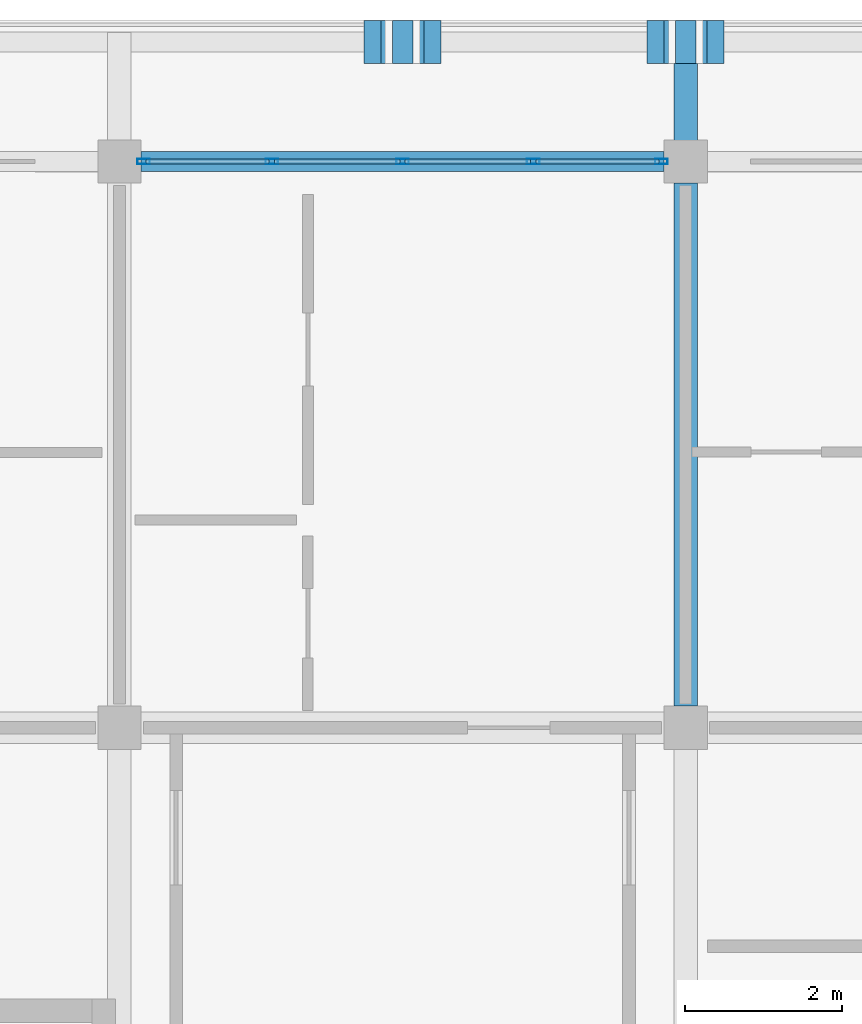
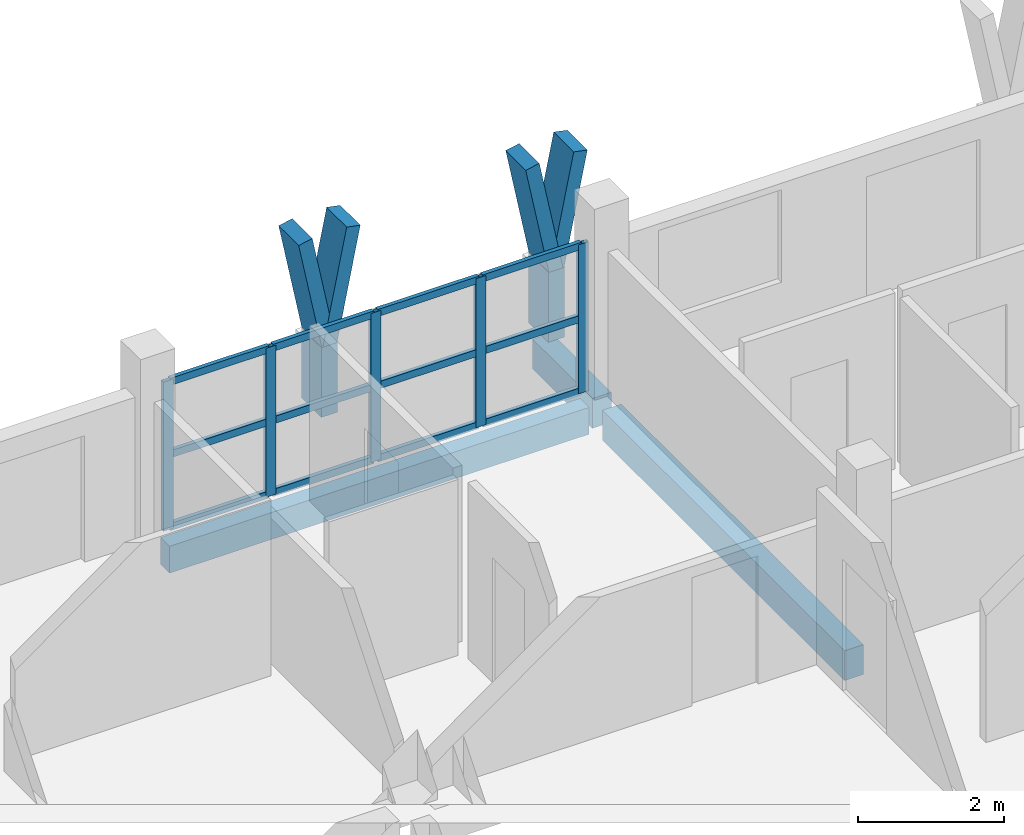
# One storey, part 25 of 65: 23 members, 3 beams, 1 element without a shape of its own.
"""IFC4 building model written with IfcOpenShell, lengths in metres."""

from ifc_helpers import new_model, si_unit, direction, frame, origin, origin_2d, place, context, subcontext, project, spatial, rectangle, hollow_rectangle, extrude, material, material_profile, profile_set, type_object, element, aggregate, save


model = new_model("IFC4")

# Units and contexts
model_context = context("Model", 3, precision=1e-05, world=origin(), true_north=direction((0.0, 1.0)))
body_context = subcontext(model_context, "Body", "Model", "MODEL_VIEW")
ifc_project = project(units=[si_unit("LENGTHUNIT", "METRE"), si_unit("AREAUNIT", "SQUARE_METRE"), si_unit("VOLUMEUNIT", "CUBIC_METRE"), si_unit("PLANEANGLEUNIT", "RADIAN"), si_unit("MASSUNIT", "GRAM", prefix="KILO")], contexts=[model_context])

# Site, building, storey
site_placement = place(None, origin())
site = spatial("IfcSite", under=ifc_project, at=site_placement, CompositionType="ELEMENT")
building_placement = place(site_placement, origin())
building = spatial("IfcBuilding", under=site, at=building_placement, Name="Suanplinth Sawtooth Commons", CompositionType="ELEMENT")
storey_placement = place(building_placement, frame((0.0, 0.0, 28.300048828125)))
storey = spatial("IfcBuildingStorey", under=building, at=storey_placement, Name="L08", CompositionType="ELEMENT", Elevation=28.300048828125)

# Beams
ifc_material_1 = material(Name="Precast concrete C40/50", Category="concrete")
ifc_material_profile_1 = material_profile(ifc_material_1, rectangle(XDim=0.300048828125, YDim=0.5, at=origin_2d()), Name="PC-BM 300x500")
ifc_profile_set_1 = profile_set([ifc_material_profile_1], Name="Precast concrete C40/50")
beam_type_1 = type_object("IfcBeamType", Name="B-07", PredefinedType="BEAM", material=ifc_profile_set_1)
beam_1_placement = place(storey_placement, frame((151.199951171875, 115.47509765625, -0.4599609375), z_axis=(0.0, 1.0, 0.0), x_axis=(-1.0, 0.0, 0.0)))
element("IfcBeam", 1, at=beam_1_placement, inside=storey, type_object=beam_type_1, Name="BMY-L08-B-21-16", PredefinedType="BEAM", context=body_context, shape_type="SweptSolid", body=[
    extrude(rectangle(XDim=0.300048828125, YDim=0.5, at=origin_2d()), origin(), (0.0, 0.0, 1.0), 6.64990234375),
])
beam_2_placement = place(storey_placement, frame((151.199951171875, 122.39990234375, -0.429931640625), z_axis=(0.0, 1.0, 0.0), x_axis=(-1.0, 0.0, 0.0)))
element("IfcBeam", 2, at=beam_2_placement, inside=storey, type_object=beam_type_1, Name="Balcony Outrigger L08-B-N-21", PredefinedType="BEAM", context=body_context, shape_type="SweptSolid", body=[
    extrude(rectangle(XDim=0.300048828125, YDim=0.5, at=origin_2d()), origin(), (0.0, 0.0, 1.0), 1.64013671875),
])
ifc_material_profile_2 = material_profile(ifc_material_1, rectangle(XDim=0.25, YDim=0.449951171875, at=origin_2d()), Name="PC-SP 250x450")
ifc_profile_set_2 = profile_set([ifc_material_profile_2], Name="Precast concrete C40/50")
beam_type_2 = type_object("IfcBeamType", Name="B-09", PredefinedType="SPANDREL", material=ifc_profile_set_2)
beam_3_placement = place(storey_placement, frame((144.27490234375, 122.39990234375, -0.43505859375), z_axis=(1.0, 0.0, 0.0), x_axis=(0.0, 1.0, 0.0)))
element("IfcBeam", 3, at=beam_3_placement, inside=storey, type_object=beam_type_2, Name="BMX-L08-B-20-17", PredefinedType="SPANDREL", context=body_context, shape_type="SweptSolid", body=[
    extrude(rectangle(XDim=0.25, YDim=0.449951171875, at=origin_2d()), origin(), (0.0, 0.0, 1.0), 6.650146484375),
])

# Members
ifc_material_2 = material(Name="Pigmented precast concrete C40/50", Category="concrete")
ifc_material_profile_3 = material_profile(ifc_material_2, rectangle(XDim=0.260009765625, YDim=0.550048828125, at=origin_2d()), Name="PC-FIN 260x550")
ifc_profile_set_3 = profile_set([ifc_material_profile_3], Name="Pigmented precast concrete C40/50")
member_type_1 = type_object("IfcMemberType", Name="M-09", PredefinedType="USERDEFINED", material=ifc_profile_set_3)
for number, where, z_axis, x_axis, name in (
    (4, (147.60009765625, 123.919921875, 0.0), (0.0, 0.0, 1.0), (1.0, 0.0, 0.0), "Y-Blade Stem L08-B-N-01"),
    (5, (151.199951171875, 123.919921875, 0.0), (0.0, 0.0, 1.0), (1.0, 0.0, 0.0), "Y-Blade Stem L08-B-N-02"),
):
    element("IfcMember", number, at=place(storey_placement, frame(where, z_axis=z_axis, x_axis=x_axis)), inside=storey, type_object=member_type_1, Name=name, ObjectType="SHADING FIN", PredefinedType="USERDEFINED", context=body_context, shape_type="SweptSolid", body=[
        extrude(rectangle(XDim=0.260009765625, YDim=0.550048828125, at=origin_2d()), origin(), (0.0, 0.0, 1.0), 1.169921875),
    ])
ifc_material_profile_4 = material_profile(ifc_material_2, rectangle(XDim=0.219970703125, YDim=0.550048828125, at=origin_2d()), Name="PC-FIN 220x550")
ifc_profile_set_4 = profile_set([ifc_material_profile_4], Name="Pigmented precast concrete C40/50")
member_type_2 = type_object("IfcMemberType", Name="M-10", PredefinedType="USERDEFINED", material=ifc_profile_set_4)
member_1_placement = place(storey_placement, frame((147.60009765625, 123.919921875, 1.1298828125), z_axis=(-0.196406855569, 0.0, 0.980522486782), x_axis=(0.980522486782, 0.0, 0.196406855569)))
element("IfcMember", 6, at=member_1_placement, inside=storey, type_object=member_type_2, Name="Y-Blade Arm L L08-B-N-01", ObjectType="SHADING FIN", PredefinedType="USERDEFINED", context=body_context, shape_type="SweptSolid", body=[
    extrude(rectangle(XDim=0.219970703125, YDim=0.550048828125, at=origin_2d()), origin(), (0.0, 0.0, 1.0), 1.93798828125),
])
for number, where, z_axis, x_axis, name in (
    (7, (147.60009765625, 123.919921875, 1.1298828125), (0.196285728346, 0.0, 0.980546741796), (-0.980546741796, 0.0, 0.196285728346), "Y-Blade Arm R L08-B-N-01"),
    (8, (151.199951171875, 123.919921875, 1.1298828125), (-0.196285728346, 0.0, 0.980546741796), (0.980546741796, 0.0, 0.196285728346), "Y-Blade Arm L L08-B-N-02"),
):
    element("IfcMember", number, at=place(storey_placement, frame(where, z_axis=z_axis, x_axis=x_axis)), inside=storey, type_object=member_type_2, Name=name, ObjectType="SHADING FIN", PredefinedType="USERDEFINED", context=body_context, shape_type="SweptSolid", body=[
        extrude(rectangle(XDim=0.219970703125, YDim=0.550048828125, at=origin_2d()), origin(), (0.0, 0.0, 1.0), 1.937744140625),
    ])
member_2_placement = place(storey_placement, frame((151.199951171875, 123.919921875, 1.1298828125), z_axis=(0.196406855569, 0.0, 0.980522486782), x_axis=(-0.980522486782, 0.0, 0.196406855569)))
element("IfcMember", 9, at=member_2_placement, inside=storey, type_object=member_type_2, Name="Y-Blade Arm R L08-B-N-02", ObjectType="SHADING FIN", PredefinedType="USERDEFINED", context=body_context, shape_type="SweptSolid", body=[
    extrude(rectangle(XDim=0.219970703125, YDim=0.550048828125, at=origin_2d()), origin(), (0.0, 0.0, 1.0), 1.93798828125),
])

# Curtain wall, members
ifc_material_3 = material(Name="Anodized aluminium and low-E glazing", Category="aluminium")
curtain_wall_type = type_object("IfcCurtainWallType", Name="CW-06", PredefinedType="USERDEFINED", material=ifc_material_3)
curtain_wall_placement = place(storey_placement, origin())
curtain_wall = element("IfcCurtainWall", 10, at=curtain_wall_placement, inside=storey, type_object=curtain_wall_type, Name="Curtain Wall CW-L08-B-LOUNGE-20", ObjectType="CURTAIN WALL", PredefinedType="USERDEFINED")
ifc_material_4 = material(Name="Anodized aluminium 6063-T6", Category="aluminium")
ifc_material_profile_5 = material_profile(ifc_material_4, hollow_rectangle(XDim=0.06494140625, YDim=0.159912109375, WallThickness=0.00390625, at=origin_2d()), Name="ALU-MUL 65x160")
ifc_profile_set_5 = profile_set([ifc_material_profile_5], Name="Anodized aluminium 6063-T6")
member_type_3 = type_object("IfcMemberType", Name="M-13", PredefinedType="MULLION", material=ifc_profile_set_5)
member_3_placement = place(storey_placement, frame((144.3076171875, 122.39990234375, 0.0), z_axis=(0.0, 0.0, 1.0), x_axis=(0.0, 1.0, 0.0)))
member_3 = element("IfcMember", 11, at=member_3_placement, type_object=member_type_3, Name="CW-06 mullion 1", PredefinedType="MULLION", context=body_context, shape_type="SweptSolid", body=[
    extrude(hollow_rectangle(XDim=0.06494140625, YDim=0.159912109375, WallThickness=0.00390625, at=origin_2d()), origin(), (0.0, 0.0, 1.0), 2.5),
])
member_4_placement = place(storey_placement, frame((145.9375, 122.39990234375, 0.0), z_axis=(0.0, 0.0, 1.0), x_axis=(0.0, 1.0, 0.0)))
member_4 = element("IfcMember", 12, at=member_4_placement, type_object=member_type_3, Name="CW-06 mullion 2", PredefinedType="MULLION", context=body_context, shape_type="SweptSolid", body=[
    extrude(hollow_rectangle(XDim=0.06494140625, YDim=0.159912109375, WallThickness=0.00390625, at=origin_2d()), origin(), (0.0, 0.0, 1.0), 2.5),
])
member_5_placement = place(storey_placement, frame((147.60009765625, 122.39990234375, 0.0), z_axis=(0.0, 0.0, 1.0), x_axis=(0.0, 1.0, 0.0)))
member_5 = element("IfcMember", 13, at=member_5_placement, type_object=member_type_3, Name="CW-06 mullion 3", PredefinedType="MULLION", context=body_context, shape_type="SweptSolid", body=[
    extrude(hollow_rectangle(XDim=0.06494140625, YDim=0.159912109375, WallThickness=0.00390625, at=origin_2d()), origin(), (0.0, 0.0, 1.0), 2.5),
])
member_6_placement = place(storey_placement, frame((149.262451171875, 122.39990234375, 0.0), z_axis=(0.0, 0.0, 1.0), x_axis=(0.0, 1.0, 0.0)))
member_6 = element("IfcMember", 14, at=member_6_placement, type_object=member_type_3, Name="CW-06 mullion 4", PredefinedType="MULLION", context=body_context, shape_type="SweptSolid", body=[
    extrude(hollow_rectangle(XDim=0.06494140625, YDim=0.159912109375, WallThickness=0.00390625, at=origin_2d()), origin(), (0.0, 0.0, 1.0), 2.5),
])
member_7_placement = place(storey_placement, frame((150.892578125, 122.39990234375, 0.0), z_axis=(0.0, 0.0, 1.0), x_axis=(0.0, 1.0, 0.0)))
member_7 = element("IfcMember", 15, at=member_7_placement, type_object=member_type_3, Name="CW-06 mullion 5", PredefinedType="MULLION", context=body_context, shape_type="SweptSolid", body=[
    extrude(hollow_rectangle(XDim=0.06494140625, YDim=0.159912109375, WallThickness=0.00390625, at=origin_2d()), origin(), (0.0, 0.0, 1.0), 2.5),
])
ifc_material_profile_6 = material_profile(ifc_material_4, hollow_rectangle(XDim=0.06494140625, YDim=0.1201171875, WallThickness=0.00390625, at=origin_2d()), Name="ALU-TRN 65x120")
ifc_profile_set_6 = profile_set([ifc_material_profile_6], Name="Anodized aluminium 6063-T6")
member_type_4 = type_object("IfcMemberType", Name="M-15", PredefinedType="USERDEFINED", material=ifc_profile_set_6)
member_8_placement = place(storey_placement, frame((144.340087890625, 122.39990234375, 0.032470703125), z_axis=(1.0, 0.0, 0.0), x_axis=(0.0, 1.0, 0.0)))
member_8 = element("IfcMember", 16, at=member_8_placement, type_object=member_type_4, Name="CW-06 transom 1.1", ObjectType="TRANSOM", PredefinedType="USERDEFINED", context=body_context, shape_type="SweptSolid", body=[
    extrude(hollow_rectangle(XDim=0.06494140625, YDim=0.1201171875, WallThickness=0.00390625, at=origin_2d()), origin(), (0.0, 0.0, 1.0), 1.56494140625),
])
member_9_placement = place(storey_placement, frame((144.340087890625, 122.39990234375, 1.25), z_axis=(1.0, 0.0, 0.0), x_axis=(0.0, 1.0, 0.0)))
member_9 = element("IfcMember", 17, at=member_9_placement, type_object=member_type_4, Name="CW-06 transom 1.2", ObjectType="TRANSOM", PredefinedType="USERDEFINED", context=body_context, shape_type="SweptSolid", body=[
    extrude(hollow_rectangle(XDim=0.06494140625, YDim=0.1201171875, WallThickness=0.00390625, at=origin_2d()), origin(), (0.0, 0.0, 1.0), 1.56494140625),
])
member_10_placement = place(storey_placement, frame((144.340087890625, 122.39990234375, 2.467529296875), z_axis=(1.0, 0.0, 0.0), x_axis=(0.0, 1.0, 0.0)))
member_10 = element("IfcMember", 18, at=member_10_placement, type_object=member_type_4, Name="CW-06 transom 1.3", ObjectType="TRANSOM", PredefinedType="USERDEFINED", context=body_context, shape_type="SweptSolid", body=[
    extrude(hollow_rectangle(XDim=0.06494140625, YDim=0.1201171875, WallThickness=0.00390625, at=origin_2d()), origin(), (0.0, 0.0, 1.0), 1.56494140625),
])
member_11_placement = place(storey_placement, frame((145.969970703125, 122.39990234375, 0.032470703125), z_axis=(1.0, 0.0, 0.0), x_axis=(0.0, 1.0, 0.0)))
member_11 = element("IfcMember", 19, at=member_11_placement, type_object=member_type_4, Name="CW-06 transom 2.1", ObjectType="TRANSOM", PredefinedType="USERDEFINED", context=body_context, shape_type="SweptSolid", body=[
    extrude(hollow_rectangle(XDim=0.06494140625, YDim=0.1201171875, WallThickness=0.00390625, at=origin_2d()), origin(), (0.0, 0.0, 1.0), 1.597412109375),
])
member_12_placement = place(storey_placement, frame((145.969970703125, 122.39990234375, 1.25), z_axis=(1.0, 0.0, 0.0), x_axis=(0.0, 1.0, 0.0)))
member_12 = element("IfcMember", 20, at=member_12_placement, type_object=member_type_4, Name="CW-06 transom 2.2", ObjectType="TRANSOM", PredefinedType="USERDEFINED", context=body_context, shape_type="SweptSolid", body=[
    extrude(hollow_rectangle(XDim=0.06494140625, YDim=0.1201171875, WallThickness=0.00390625, at=origin_2d()), origin(), (0.0, 0.0, 1.0), 1.597412109375),
])
member_13_placement = place(storey_placement, frame((145.969970703125, 122.39990234375, 2.467529296875), z_axis=(1.0, 0.0, 0.0), x_axis=(0.0, 1.0, 0.0)))
member_13 = element("IfcMember", 21, at=member_13_placement, type_object=member_type_4, Name="CW-06 transom 2.3", ObjectType="TRANSOM", PredefinedType="USERDEFINED", context=body_context, shape_type="SweptSolid", body=[
    extrude(hollow_rectangle(XDim=0.06494140625, YDim=0.1201171875, WallThickness=0.00390625, at=origin_2d()), origin(), (0.0, 0.0, 1.0), 1.597412109375),
])
member_14_placement = place(storey_placement, frame((147.632568359375, 122.39990234375, 0.032470703125), z_axis=(1.0, 0.0, 0.0), x_axis=(0.0, 1.0, 0.0)))
member_14 = element("IfcMember", 22, at=member_14_placement, type_object=member_type_4, Name="CW-06 transom 3.1", ObjectType="TRANSOM", PredefinedType="USERDEFINED", context=body_context, shape_type="SweptSolid", body=[
    extrude(hollow_rectangle(XDim=0.06494140625, YDim=0.1201171875, WallThickness=0.00390625, at=origin_2d()), origin(), (0.0, 0.0, 1.0), 1.597412109375),
])
member_15_placement = place(storey_placement, frame((147.632568359375, 122.39990234375, 1.25), z_axis=(1.0, 0.0, 0.0), x_axis=(0.0, 1.0, 0.0)))
member_15 = element("IfcMember", 23, at=member_15_placement, type_object=member_type_4, Name="CW-06 transom 3.2", ObjectType="TRANSOM", PredefinedType="USERDEFINED", context=body_context, shape_type="SweptSolid", body=[
    extrude(hollow_rectangle(XDim=0.06494140625, YDim=0.1201171875, WallThickness=0.00390625, at=origin_2d()), origin(), (0.0, 0.0, 1.0), 1.597412109375),
])
member_16_placement = place(storey_placement, frame((147.632568359375, 122.39990234375, 2.467529296875), z_axis=(1.0, 0.0, 0.0), x_axis=(0.0, 1.0, 0.0)))
member_16 = element("IfcMember", 24, at=member_16_placement, type_object=member_type_4, Name="CW-06 transom 3.3", ObjectType="TRANSOM", PredefinedType="USERDEFINED", context=body_context, shape_type="SweptSolid", body=[
    extrude(hollow_rectangle(XDim=0.06494140625, YDim=0.1201171875, WallThickness=0.00390625, at=origin_2d()), origin(), (0.0, 0.0, 1.0), 1.597412109375),
])
member_17_placement = place(storey_placement, frame((149.294921875, 122.39990234375, 0.032470703125), z_axis=(1.0, 0.0, 0.0), x_axis=(0.0, 1.0, 0.0)))
member_17 = element("IfcMember", 25, at=member_17_placement, type_object=member_type_4, Name="CW-06 transom 4.1", ObjectType="TRANSOM", PredefinedType="USERDEFINED", context=body_context, shape_type="SweptSolid", body=[
    extrude(hollow_rectangle(XDim=0.06494140625, YDim=0.1201171875, WallThickness=0.00390625, at=origin_2d()), origin(), (0.0, 0.0, 1.0), 1.565185546875),
])
member_18_placement = place(storey_placement, frame((149.294921875, 122.39990234375, 1.25), z_axis=(1.0, 0.0, 0.0), x_axis=(0.0, 1.0, 0.0)))
member_18 = element("IfcMember", 26, at=member_18_placement, type_object=member_type_4, Name="CW-06 transom 4.2", ObjectType="TRANSOM", PredefinedType="USERDEFINED", context=body_context, shape_type="SweptSolid", body=[
    extrude(hollow_rectangle(XDim=0.06494140625, YDim=0.1201171875, WallThickness=0.00390625, at=origin_2d()), origin(), (0.0, 0.0, 1.0), 1.565185546875),
])
member_19_placement = place(storey_placement, frame((149.294921875, 122.39990234375, 2.467529296875), z_axis=(1.0, 0.0, 0.0), x_axis=(0.0, 1.0, 0.0)))
member_19 = element("IfcMember", 27, at=member_19_placement, type_object=member_type_4, Name="CW-06 transom 4.3", ObjectType="TRANSOM", PredefinedType="USERDEFINED", context=body_context, shape_type="SweptSolid", body=[
    extrude(hollow_rectangle(XDim=0.06494140625, YDim=0.1201171875, WallThickness=0.00390625, at=origin_2d()), origin(), (0.0, 0.0, 1.0), 1.565185546875),
])
aggregate(curtain_wall, [member_3, member_4, member_5, member_6, member_7, member_8, member_9, member_10, member_11, member_12, member_13, member_14, member_15, member_16, member_17, member_18, member_19])

save(model, "model.ifc")
